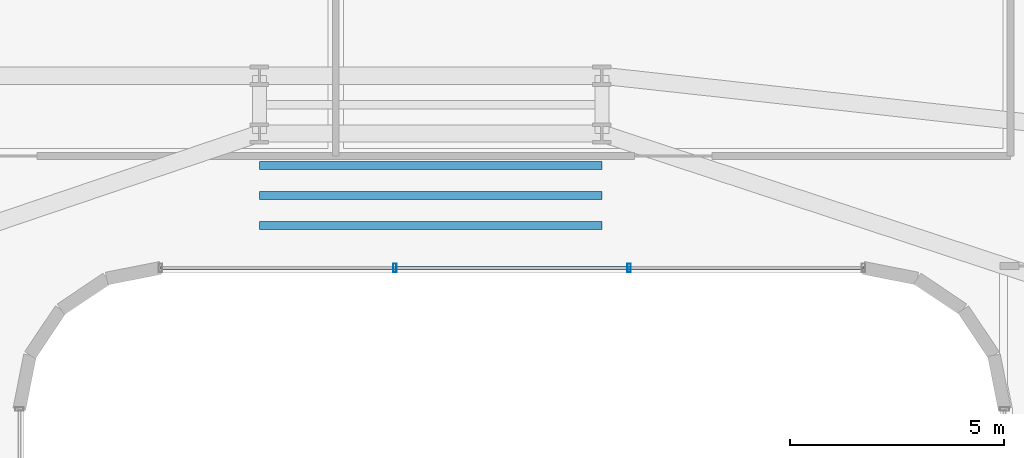
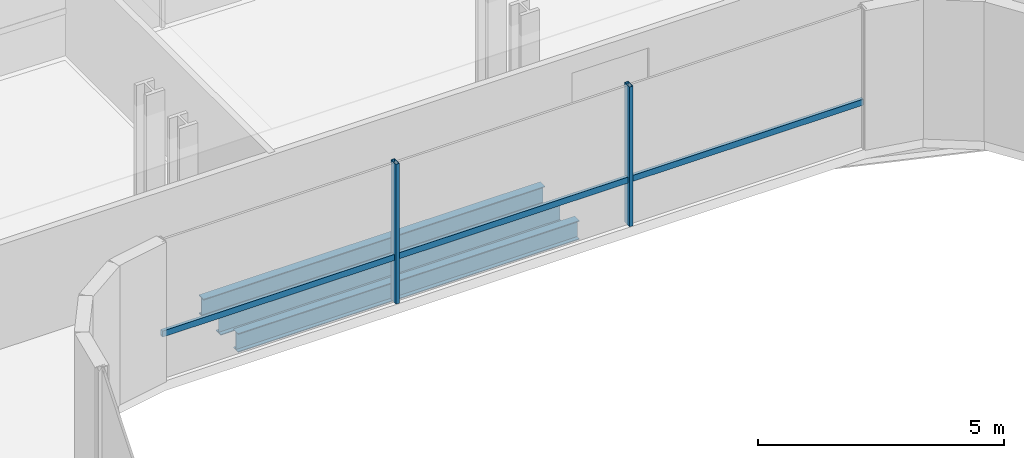
# One storey, part 15 of 41: 3 beams, 3 members, 1 element without a shape of its own.
"""IFC4 building model written with IfcOpenShell, lengths in metres."""

import ifcopenshell
import ifcopenshell.guid

model = None  # the IFC model being written
_history = None  # IfcOwnerHistory: only IFC2X3 demands one
_inside = {}  # id of a spatial element -> (the spatial element, [elements in it])
_under = {}  # id of a project, library or spatial element -> (it, [spatial elements below it])
_declared = {}  # id of a project -> (the project, [libraries it declares])
_typed = {}  # id of a type object -> (the type object, [elements of that type])
_made_of = {}  # id of a material, layer set ... -> (it, [elements and type objects made of it])


def new_model(schema):
    """Start an empty IFC model of exactly this schema.

    Asked for "IFC4X3", IfcOpenShell would pick the latest addendum, in which some entities
    have other attributes; the version numbers below select the first issue.
    IFC2X3 requires an IfcOwnerHistory on every rooted entity: one is made here for all.
    """
    global model, _history
    if schema == "IFC4X3":
        model = ifcopenshell.file(schema_version=(4, 3, 0, 0))
    else:
        model = ifcopenshell.file(schema=schema)
    _inside.clear()
    _under.clear()
    _declared.clear()
    _typed.clear()
    _made_of.clear()
    _history = None
    if model.schema == "IFC2X3":
        org = make("IfcOrganization", Name="unknown")
        user = make(
            "IfcPersonAndOrganization",
            ThePerson=make("IfcPerson", FamilyName="unknown"),
            TheOrganization=org,
        )
        app = make(
            "IfcApplication",
            ApplicationDeveloper=org,
            Version="unknown",
            ApplicationFullName="unknown",
            ApplicationIdentifier="unknown",
        )
        _history = make(
            "IfcOwnerHistory",
            OwningUser=user,
            OwningApplication=app,
            ChangeAction="ADDED",
            CreationDate=0,
        )
    return model


def make(cls, **values):
    """One entity of the class cls with the attributes given. An attribute that is None is left unset."""
    return model.create_entity(
        cls, **{name: value for name, value in values.items() if value is not None}
    )


def rooted(cls, **values):
    """An entity with a GlobalId (a new one), such as an element, a storey or a relation."""
    return make(cls, GlobalId=ifcopenshell.guid.new(), OwnerHistory=_history, **values)


def si_unit(unit_type, name, prefix=None):
    """IfcSIUnit, for example si_unit("LENGTHUNIT", "METRE", prefix="MILLI")."""
    return make("IfcSIUnit", UnitType=unit_type, Prefix=prefix, Name=name)


def assignment(units):
    """IfcUnitAssignment: the units of a project."""
    return None if units is None else make("IfcUnitAssignment", Units=units)


def point(xyz):
    """IfcCartesianPoint."""
    return None if xyz is None else make("IfcCartesianPoint", Coordinates=xyz)


def direction(xyz):
    """IfcDirection."""
    return None if xyz is None else make("IfcDirection", DirectionRatios=xyz)


def frame(location, z_axis=None, x_axis=None):
    """IfcAxis2Placement3D, a coordinate frame: its origin and axes. An axis left out is left unset."""
    return make(
        "IfcAxis2Placement3D",
        Location=point(location),
        Axis=direction(z_axis),
        RefDirection=direction(x_axis),
    )


def frame_2d(location, x_axis=None):
    """IfcAxis2Placement2D, a coordinate frame in the plane: its origin and x axis."""
    return make(
        "IfcAxis2Placement2D", Location=point(location), RefDirection=direction(x_axis)
    )


def origin():
    """The frame at (0, 0, 0) with its axes left unset."""
    return frame((0.0, 0.0, 0.0))


def origin_2d():
    """The frame at (0, 0) in the plane with its x axis left unset."""
    return frame_2d((0.0, 0.0))


def place(relative_to, where):
    """IfcLocalPlacement: puts the frame where relative to a parent placement (None: the world)."""
    return make(
        "IfcLocalPlacement", PlacementRelTo=relative_to, RelativePlacement=where
    )


def context(
    kind, dimensions, precision=None, world=None, true_north=None, identifier=None
):
    """IfcGeometricRepresentationContext, for example the 3D "Model" context."""
    return make(
        "IfcGeometricRepresentationContext",
        ContextIdentifier=identifier,
        ContextType=kind,
        CoordinateSpaceDimension=dimensions,
        Precision=precision,
        WorldCoordinateSystem=world,
        TrueNorth=true_north,
    )


def subcontext(parent, identifier, kind, view, scale=None):
    """IfcGeometricRepresentationSubContext, for example "Body" below "Model"."""
    return make(
        "IfcGeometricRepresentationSubContext",
        ContextIdentifier=identifier,
        ContextType=kind,
        ParentContext=parent,
        TargetScale=scale,
        TargetView=view,
    )


def project(units=None, contexts=None):
    """IfcProject with its units and contexts."""
    return rooted(
        "IfcProject",
        Name="project",
        RepresentationContexts=contexts,
        UnitsInContext=assignment(units),
    )


def spatial(cls, under=None, at=None, **own):
    """A site, building, storey or space (cls), placed at a placement, below another one or the project."""
    s = rooted(cls, ObjectPlacement=at, **own)
    if under is not None:
        _under.setdefault(under.id(), (under, []))[1].append(s)
    return s


def profile(cls, at=None, kind="AREA", **sizes):
    """A parametric profile (cls). Its sizes go by their IFC names, for example OverallWidth=200.0."""
    return make(cls, ProfileType=kind, Position=at, **sizes)


def hollow_rectangle(**sizes):
    """IfcRectangleHollowProfileDef."""
    return profile("IfcRectangleHollowProfileDef", **sizes)


def i_section(**sizes):
    """IfcIShapeProfileDef."""
    return profile("IfcIShapeProfileDef", **sizes)


def extrude(swept, where, along, depth):
    """IfcExtrudedAreaSolid: the profile swept, set in the frame where, extruded along a direction by depth."""
    return make(
        "IfcExtrudedAreaSolid",
        SweptArea=swept,
        Position=where,
        ExtrudedDirection=direction(along),
        Depth=depth,
    )


def shape(context_of_items, identifier, shape_type, items):
    """IfcShapeRepresentation: the items that make up one representation, for example the "Body"."""
    return make(
        "IfcShapeRepresentation",
        ContextOfItems=context_of_items,
        RepresentationIdentifier=identifier,
        RepresentationType=shape_type,
        Items=items,
    )


def source(mapping_origin, context_of_items, identifier, shape_type, items):
    """IfcRepresentationMap: a shape defined once, which mapped items show again and again."""
    return make(
        "IfcRepresentationMap",
        MappingOrigin=mapping_origin,
        MappedRepresentation=shape(context_of_items, identifier, shape_type, items),
    )


def transform(
    local_origin,
    x_axis=None,
    y_axis=None,
    z_axis=None,
    scale=None,
    scale2=None,
    scale3=None,
    uniform=True,
):
    """IfcCartesianTransformationOperator3D, or its non-uniform kind. x_axis, y_axis, z_axis: its Axis1, 2, 3."""
    if uniform:
        return make(
            "IfcCartesianTransformationOperator3D",
            Axis1=direction(x_axis),
            Axis2=direction(y_axis),
            LocalOrigin=point(local_origin),
            Scale=scale,
            Axis3=direction(z_axis),
        )
    return make(
        "IfcCartesianTransformationOperator3DnonUniform",
        Axis1=direction(x_axis),
        Axis2=direction(y_axis),
        LocalOrigin=point(local_origin),
        Scale=scale,
        Axis3=direction(z_axis),
        Scale2=scale2,
        Scale3=scale3,
    )


def mapped(mapping_source, mapping_target):
    """IfcMappedItem: shows the shape of a source again, moved by a transform."""
    return make(
        "IfcMappedItem", MappingSource=mapping_source, MappingTarget=mapping_target
    )


def material(Name=None, Category=None):
    """IfcMaterial."""
    return make("IfcMaterial", Name=Name, Category=Category)


def material_profile(
    of_material, cross_section, Name=None, Category=None, Priority=None
):
    """IfcMaterialProfile: a cross section and its material."""
    return make(
        "IfcMaterialProfile",
        Name=Name,
        Material=of_material,
        Profile=cross_section,
        Priority=Priority,
        Category=Category,
    )


def profile_set(profiles, Name=None, composite=None):
    """IfcMaterialProfileSet."""
    return make(
        "IfcMaterialProfileSet",
        Name=Name,
        MaterialProfiles=profiles,
        CompositeProfile=composite,
    )


def made_of(thing, what):
    """Note that an element or type object is made of a material, layer set ...; save() writes the relation."""
    if what is not None:
        _made_of.setdefault(what.id(), (what, []))[1].append(thing)
    return thing


def type_object(cls, material=None, **own):
    """A type object (cls), such as IfcWallType, which elements share."""
    return made_of(rooted(cls, **own), material)


def element(
    cls,
    number,
    at=None,
    inside=None,
    cuts=None,
    type_object=None,
    material=None,
    context=None,
    identifier="Body",
    shape_type=None,
    held_by="IfcProductDefinitionShape",
    body=None,
    shapes=None,
    **own,
):
    """One element of the class cls, such as IfcWall. Its Tag is "e" and its number.

    at: its placement. inside: the storey or other place that contains it. cuts: it is an
    opening in that element (IfcRelVoidsElement). A single representation is given by context,
    identifier, shape_type and body (its items); several are given by shapes. held_by: the class
    of the entity that holds the representations. save() writes the other relations.
    """
    e = rooted(cls, Tag="e%d" % number, ObjectPlacement=at, **own)
    if body is not None:
        shapes = [shape(context, identifier, shape_type, body)]
    if shapes is not None:
        e.Representation = make(held_by, Representations=shapes)
    if inside is not None:
        _inside.setdefault(inside.id(), (inside, []))[1].append(e)
    if cuts is not None:
        rooted(
            "IfcRelVoidsElement", RelatingBuildingElement=cuts, RelatedOpeningElement=e
        )
    if type_object is not None:
        _typed.setdefault(type_object.id(), (type_object, []))[1].append(e)
    return made_of(e, material)


def aggregate(whole, parts):
    """IfcRelAggregates: a whole, such as a stair, and the parts it consists of."""
    return rooted("IfcRelAggregates", RelatingObject=whole, RelatedObjects=parts)


def save(model, path):
    """Write the relations noted so far, then the file.

    IfcRelAggregates (storeys below a building ...), IfcRelContainedInSpatialStructure (elements
    in a storey), IfcRelDefinesByType, IfcRelAssociatesMaterial and IfcRelDeclares: one each for
    every whole, place, type object, material and project.
    """
    for whole, parts in _under.values():
        aggregate(whole, parts)
    for where, things in _inside.values():
        rooted(
            "IfcRelContainedInSpatialStructure",
            RelatedElements=things,
            RelatingStructure=where,
        )
    for kind, things in _typed.values():
        rooted("IfcRelDefinesByType", RelatedObjects=things, RelatingType=kind)
    for what, things in _made_of.values():
        rooted("IfcRelAssociatesMaterial", RelatedObjects=things, RelatingMaterial=what)
    for by, libraries in _declared.values():
        rooted("IfcRelDeclares", RelatingContext=by, RelatedDefinitions=libraries)
    model.write(path)


model = new_model("IFC4")

# Units and contexts
model_context = context("Model", 3, precision=1e-05, world=origin(), true_north=direction((0.0, 1.0)))
body_context = subcontext(model_context, "Body", "Model", "MODEL_VIEW")
ifc_project = project(units=[si_unit("LENGTHUNIT", "METRE"), si_unit("AREAUNIT", "SQUARE_METRE"), si_unit("VOLUMEUNIT", "CUBIC_METRE"), si_unit("PLANEANGLEUNIT", "RADIAN"), si_unit("MASSUNIT", "GRAM", prefix="KILO")], contexts=[model_context])

# Site, building, storey
site_placement = place(None, origin())
site = spatial("IfcSite", under=ifc_project, at=site_placement, CompositionType="ELEMENT")
building_placement = place(site_placement, origin())
building = spatial("IfcBuilding", under=site, at=building_placement, Name="Valdorenza Pilgrim Sanctuary Tower", CompositionType="ELEMENT")
storey_placement = place(building_placement, frame((0.0, 0.0, 63.0)))
storey = spatial("IfcBuildingStorey", under=building, at=storey_placement, Name="L15", CompositionType="ELEMENT", Elevation=63.0)

# Beams
ifc_material_1 = material(Name="Steel ASTM A992 Grade 50", Category="steel")
ifc_material_profile_1 = material_profile(ifc_material_1, i_section(OverallWidth=0.193115234375, OverallDepth=0.466064453125, WebThickness=0.011474609375, FlangeThickness=0.01904296875, at=origin_2d()), Name="W18X65")
ifc_profile_set_1 = profile_set([ifc_material_profile_1], Name="Steel ASTM A992 Grade 50")
beam_type = type_object("IfcBeamType", Name="STR-BM-JST-W18A", PredefinedType="JOIST", material=ifc_profile_set_1)
shared_shape_1 = source(origin(), body_context, "Body", "SweptSolid", [
    extrude(i_section(OverallWidth=0.193115234375, OverallDepth=0.466064453125, WebThickness=0.011474609375, FlangeThickness=0.01904296875, at=origin_2d()), origin(), (0.0, 0.0, 1.0), 8.0),
])
for number, where, z_axis, x_axis, name in (
    (1, (-4.0, 11.300048828125, -0.472900390625), (1.0, 0.0, 0.0), (0.0, 1.0, 0.0), "L15 Knuckle Composite Joist JST-KNK-1"),
    (2, (-4.0, 12.0, -0.472900390625), (1.0, 0.0, 0.0), (0.0, 1.0, 0.0), "L15 Knuckle Composite Joist JST-KNK-2"),
    (3, (-4.0, 12.699951171875, -0.472900390625), (1.0, 0.0, 0.0), (0.0, 1.0, 0.0), "L15 Knuckle Composite Joist JST-KNK-3"),
):
    element("IfcBeam", number, at=place(storey_placement, frame(where, z_axis=z_axis, x_axis=x_axis)), inside=storey, type_object=beam_type, Name=name, PredefinedType="JOIST", context=body_context, shape_type="MappedRepresentation", body=[
        mapped(shared_shape_1, transform((0.0, 0.0, 0.0), x_axis=(1.0, 0.0, 0.0), y_axis=(0.0, 1.0, 0.0), z_axis=(0.0, 0.0, 1.0), scale=1.0)),
    ])

# Curtain wall, members
ifc_material_2 = material(Name="Curtain-wall IGU glazing", Category="glass")
curtain_wall_type = type_object("IfcCurtainWallType", Name="CW-SYS-02", PredefinedType="NOTDEFINED", material=ifc_material_2)
curtain_wall_placement = place(storey_placement, origin())
curtain_wall = element("IfcCurtainWall", 4, at=curtain_wall_placement, inside=storey, type_object=curtain_wall_type, Name="L15 Curtain Wall CW-L15-1-36", PredefinedType="NOTDEFINED")
ifc_material_3 = material(Name="Anodised aluminium AW-6060", Category="aluminium")
ifc_material_profile_2 = material_profile(ifc_material_3, hollow_rectangle(XDim=0.0849609375, YDim=0.199951171875, WallThickness=0.0048828125, at=origin_2d()), Name="ALU-M 200x85x5")
ifc_profile_set_2 = profile_set([ifc_material_profile_2], Name="Anodised aluminium AW-6060")
member_type_1 = type_object("IfcMemberType", Name="CW-MUL-02", PredefinedType="MULLION", material=ifc_profile_set_2)
shared_shape_2 = source(origin(), body_context, "Body", "SweptSolid", [
    extrude(hollow_rectangle(XDim=0.0849609375, YDim=0.199951171875, WallThickness=0.0048828125, at=origin_2d()), origin(), (0.0, 0.0, 1.0), 3.4599609375),
])
member_1_placement = place(storey_placement, frame((4.636962890625, 10.31005859375, 0.0), z_axis=(0.0, 0.0, 1.0), x_axis=(-1.0, 0.0, 0.0)))
member_1 = element("IfcMember", 5, at=member_1_placement, type_object=member_type_1, Name="CW-L15-1-36 Mullion 2", PredefinedType="MULLION", context=body_context, shape_type="MappedRepresentation", body=[
    mapped(shared_shape_2, transform((0.0, 0.0, 0.0), x_axis=(1.0, 0.0, 0.0), y_axis=(0.0, 1.0, 0.0), z_axis=(0.0, 0.0, 1.0), scale=1.0)),
])
member_2_placement = place(storey_placement, frame((-0.8369140625, 10.31005859375, 0.0), z_axis=(0.0, 0.0, 1.0), x_axis=(-1.0, 0.0, 0.0)))
member_2 = element("IfcMember", 6, at=member_2_placement, type_object=member_type_1, Name="CW-L15-1-36 Mullion 3", PredefinedType="MULLION", context=body_context, shape_type="MappedRepresentation", body=[
    mapped(shared_shape_2, transform((0.0, 0.0, 0.0), x_axis=(1.0, 0.0, 0.0), y_axis=(0.0, 1.0, 0.0), z_axis=(0.0, 0.0, 1.0), scale=1.0)),
])
ifc_material_profile_3 = material_profile(ifc_material_3, hollow_rectangle(XDim=0.074951171875, YDim=0.14990234375, WallThickness=0.00390625, at=origin_2d()), Name="ALU-T 150x75x4")
ifc_profile_set_3 = profile_set([ifc_material_profile_3], Name="Anodised aluminium AW-6060")
member_type_2 = type_object("IfcMemberType", Name="CW-TRN-02", PredefinedType="USERDEFINED", material=ifc_profile_set_3)
shared_shape_3 = source(origin(), body_context, "Body", "SweptSolid", [
    extrude(hollow_rectangle(XDim=0.074951171875, YDim=0.14990234375, WallThickness=0.00390625, at=origin_2d()), origin(), (0.0, 0.0, 1.0), 16.421630859375),
])
member_3_placement = place(storey_placement, frame((10.11083984375, 10.31005859375, 1.1201171875), z_axis=(-1.0, 0.0, 0.0), x_axis=(0.0, -1.0, 0.0)))
member_3 = element("IfcMember", 7, at=member_3_placement, type_object=member_type_2, Name="CW-L15-1-36 Transom 1", ObjectType="TRANSOM", PredefinedType="USERDEFINED", context=body_context, shape_type="MappedRepresentation", body=[
    mapped(shared_shape_3, transform((0.0, 0.0, 0.0), x_axis=(1.0, 0.0, 0.0), y_axis=(0.0, 1.0, 0.0), z_axis=(0.0, 0.0, 1.0), scale=1.0)),
])
aggregate(curtain_wall, [member_1, member_2, member_3])

save(model, "model.ifc")
